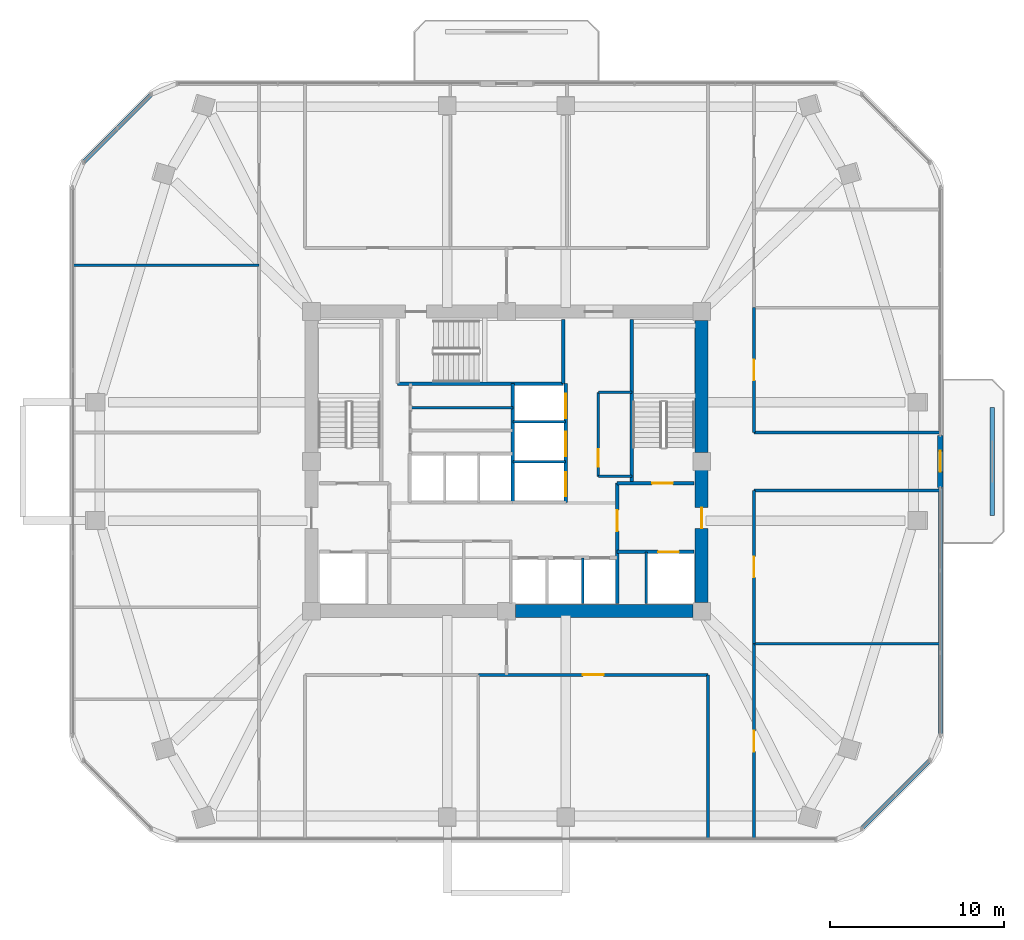
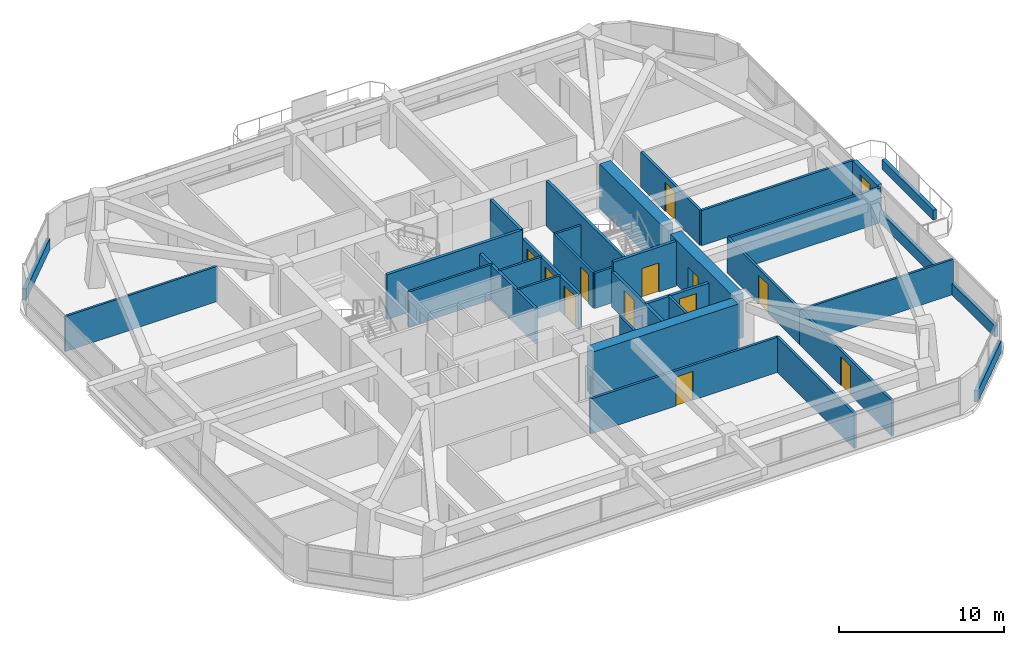
# One storey, part 10 of 13: 33 walls, 13 doors, 13 openings.
"""IFC4 building model written with IfcOpenShell, lengths in metres."""

from ifc_helpers import new_model, si_unit, derived_unit, direction, frame, frame_2d, origin, place, context, subcontext, project, spatial, rectangle, extrude, material, layer, layer_set, type_object, element, fill, save


model = new_model("IFC4")

# Units and contexts
model_context = context("Model", 3, precision=1e-05, world=origin(), true_north=direction((0.0, 1.0)))
body_context = subcontext(model_context, "Body", "Model", "MODEL_VIEW")
ifc_project = project(units=[si_unit("LENGTHUNIT", "METRE"), si_unit("AREAUNIT", "SQUARE_METRE"), si_unit("VOLUMEUNIT", "CUBIC_METRE"), si_unit("PLANEANGLEUNIT", "RADIAN"), si_unit("MASSUNIT", "GRAM", prefix="KILO"), derived_unit("THERMALTRANSMITTANCEUNIT", [(si_unit("POWERUNIT", "WATT"), 1), (si_unit("LENGTHUNIT", "METRE"), -2), (si_unit("THERMODYNAMICTEMPERATUREUNIT", "KELVIN"), -1)])], contexts=[model_context])

# Site, building, storey
site_placement = place(None, origin())
site = spatial("IfcSite", under=ifc_project, at=site_placement, CompositionType="ELEMENT")
building_placement = place(site_placement, origin())
building = spatial("IfcBuilding", under=site, at=building_placement, Name="Koralith Skygarden Medical Center", CompositionType="ELEMENT")
storey_placement = place(building_placement, frame((0.0, 0.0, 109.97998046875)))
storey = spatial("IfcBuildingStorey", under=building, at=storey_placement, Name="L28", CompositionType="ELEMENT", Elevation=109.97998046875)

# Wall, opening, door
ifc_material_1 = material(Name="Gypsum Board Partition")
ifc_layer_1 = layer(ifc_material_1, 0.14990234375)
ifc_layer_set_1 = layer_set([ifc_layer_1], Name="Gypsum Board Partition")
wall_type_1 = type_object("IfcWallType", Name="Clinical Acoustic Partition 150", PredefinedType="PARTITIONING", material=ifc_layer_set_1)
wall_1_placement = place(storey_placement, frame((42.27001953125, 25.0400390625, 0.0), z_axis=(0.0, 0.0, 1.0), x_axis=(0.0, 1.0, 0.0)))
wall_1 = element("IfcWall", 1, at=wall_1_placement, inside=storey, type_object=wall_type_1, Name="L28 Clinical Acoustic Partition 150 W-CORE-L28-ESUB-W", PredefinedType="PARTITIONING", context=body_context, shape_type="SweptSolid", body=[
    extrude(rectangle(XDim=4.820068359375, YDim=0.14990234375, at=frame_2d((2.41015625, 0.0))), origin(), (0.0, 0.0, 1.0), 2.610107421875),
])
opening_1_placement = place(wall_1_placement, frame((0.550048828125, 0.0, 0.0)))
opening_1 = element("IfcOpeningElement", 2, at=opening_1_placement, cuts=wall_1, Name="Opening D-SUP", PredefinedType="OPENING", context=body_context, shape_type="SweptSolid", body=[
    extrude(rectangle(XDim=1.0, YDim=2.14990234375, at=frame_2d((0.5, 1.074951171875))), frame((0.0, 0.0849609375, 0.0), z_axis=(0.0, -1.0, 0.0), x_axis=(1.0, 0.0, 0.0)), (0.0, 0.0, 1.0), 0.169921875),
])
ifc_material_2 = material(Name="Aluminium 6063-T6", Category="aluminium")
door_type_1 = type_object("IfcDoorType", Name="Clinical Support Door D-SUP 1000", OperationType="NOTDEFINED", PredefinedType="DOOR", material=ifc_material_2)
door_1_placement = place(opening_1_placement, origin())
door_1 = element("IfcDoor", 3, at=door_1_placement, inside=storey, type_object=door_type_1, Name="L28 Core Equipment Store Door", OperationType="SINGLE_SWING_LEFT", OverallHeight=2.14990234375, OverallWidth=1.0, PredefinedType="DOOR", context=body_context, shape_type="SweptSolid", body=[
    extrude(rectangle(XDim=1.0, YDim=2.14990234375, at=frame_2d((0.5, 1.074951171875))), frame((0.0, 0.02490234375, 0.0), z_axis=(0.0, -1.0, 0.0), x_axis=(1.0, 0.0, 0.0)), (0.0, 0.0, 1.0), 0.050048828125),
])
fill(opening_1, door_1)

# Walls
for number, where, z_axis, x_axis, name in (
    (4, (42.27001953125, 25.0400390625, 0.0), (0.0, 0.0, 1.0), (1.0, 0.0, 0.0), "L28 Clinical Acoustic Partition 150 W-CORE-L28-ESUB-S"),
    (5, (42.27001953125, 29.860107421875, 0.0), (0.0, 0.0, 1.0), (1.0, 0.0, 0.0), "L28 Clinical Acoustic Partition 150 W-CORE-L28-ESUB-N"),
):
    element("IfcWall", number, at=place(storey_placement, frame(where, z_axis=z_axis, x_axis=x_axis)), inside=storey, type_object=wall_type_1, Name=name, PredefinedType="PARTITIONING", context=body_context, shape_type="SweptSolid", body=[
        extrude(rectangle(XDim=1.929931640625, YDim=0.14990234375, at=frame_2d((0.96484375, 0.0))), origin(), (0.0, 0.0, 1.0), 2.610107421875),
    ])
wall_2_placement = place(storey_placement, frame((31.47998046875, 28.97998046875, 0.0), z_axis=(0.0, 0.0, 1.0), x_axis=(1.0, 0.0, 0.0)))
element("IfcWall", 6, at=wall_2_placement, inside=storey, type_object=wall_type_1, Name="L28 Clinical Acoustic Partition 150 W-CORE-L28-FLEX-H1B", PredefinedType="PARTITIONING", context=body_context, shape_type="SweptSolid", body=[
    extrude(rectangle(XDim=5.89013671875, YDim=0.14990234375, at=frame_2d((2.945068359375, 0.0))), origin(), (0.0, 0.0, 1.0), 2.610107421875),
])
for number, where, z_axis, x_axis, name in (
    (7, (22.7900390625, 37.1640625, 0.0), (0.0, 0.0, 1.0), (-1.0, 0.0, 0.0), "L28 Clinical Acoustic Partition 150 W-PART-L28-WN-01"),
    (8, (51.2099609375, 15.43603515625, 0.0), (0.0, 0.0, 1.0), (1.0, 0.0, 0.0), "L28 Clinical Acoustic Partition 150 W-PART-L28-ES-01"),
):
    element("IfcWall", number, at=place(storey_placement, frame(where, z_axis=z_axis, x_axis=x_axis)), inside=storey, type_object=wall_type_1, Name=name, PredefinedType="PARTITIONING", context=body_context, shape_type="SweptSolid", body=[
        extrude(rectangle(XDim=10.676025390625, YDim=0.14990234375, at=frame_2d((5.337890625, 0.0))), origin(), (0.0, 0.0, 1.0), 2.610107421875),
    ])
ifc_layer_2 = layer(ifc_material_1, 0.1650390625)
ifc_layer_set_2 = layer_set([ifc_layer_2], Name="Gypsum Board Partition")
wall_type_2 = type_object("IfcWallType", Name="Clinical Corridor Partition 165", PredefinedType="PARTITIONING", material=ifc_layer_set_2)
wall_3_placement = place(storey_placement, frame((48.570068359375, 4.23095703125, 0.0), z_axis=(0.0, 0.0, 1.0), x_axis=(0.0, 1.0, 0.0)))
element("IfcWall", 9, at=wall_3_placement, inside=storey, type_object=wall_type_2, Name="L28 Clinical Corridor Partition 165 W-HCOR-L28-SE", PredefinedType="PARTITIONING", context=body_context, shape_type="SweptSolid", body=[
    extrude(rectangle(XDim=9.408935546875, YDim=0.1650390625, at=frame_2d((4.70458984375, 0.0))), origin(), (0.0, 0.0, 1.0), 2.610107421875),
])
for number, where, z_axis, x_axis, name in (
    (10, (51.2099609375, 24.239990234375, 0.0), (0.0, 0.0, 1.0), (1.0, 0.0, 0.0), "L28 Clinical Corridor Partition 165 W-HCOR-L28-EWS-E"),
    (11, (51.2099609375, 27.56005859375, 0.0), (0.0, 0.0, 1.0), (1.0, 0.0, 0.0), "L28 Clinical Corridor Partition 165 W-HCOR-L28-EWN-E"),
):
    element("IfcWall", number, at=place(storey_placement, frame(where, z_axis=z_axis, x_axis=x_axis)), inside=storey, type_object=wall_type_2, Name=name, PredefinedType="PARTITIONING", context=body_context, shape_type="SweptSolid", body=[
        extrude(rectangle(XDim=10.676025390625, YDim=0.1650390625, at=frame_2d((5.337890625, 0.0))), origin(), (0.0, 0.0, 1.0), 2.610107421875),
    ])

# Wall, opening, door
wall_4_placement = place(storey_placement, frame((35.382080078125, 13.639892578125, 0.0), z_axis=(0.0, 0.0, 1.0), x_axis=(1.0, 0.0, 0.0)))
wall_4 = element("IfcWall", 12, at=wall_4_placement, inside=storey, type_object=wall_type_2, Name="L28 Clinical Corridor Partition 165 W-CORR-L28-S-02", PredefinedType="PARTITIONING", context=body_context, shape_type="SweptSolid", body=[
    extrude(rectangle(XDim=13.18798828125, YDim=0.1650390625, at=frame_2d((6.593994140625, 0.0))), origin(), (0.0, 0.0, 1.0), 2.610107421875),
])
opening_2_placement = place(wall_4_placement, frame((5.993896484375, 0.0, 0.0)))
opening_2 = element("IfcOpeningElement", 13, at=opening_2_placement, cuts=wall_4, Name="Opening D-CLN", PredefinedType="OPENING", context=body_context, shape_type="SweptSolid", body=[
    extrude(rectangle(XDim=1.199951171875, YDim=2.14990234375, at=frame_2d((0.60009765625, 1.074951171875))), frame((0.0, 0.092529296875, 0.0), z_axis=(0.0, -1.0, 0.0), x_axis=(1.0, 0.0, 0.0)), (0.0, 0.0, 1.0), 0.18505859375),
])
door_type_2 = type_object("IfcDoorType", Name="Clinical Corridor Door D-CLN 1200", OperationType="NOTDEFINED", PredefinedType="DOOR", material=ifc_material_2)
door_2_placement = place(opening_2_placement, frame((1.199951171875, 0.0, 0.0), z_axis=(0.0, 0.0, 1.0), x_axis=(-1.0, 0.0, 0.0)))
door_2 = element("IfcDoor", 14, at=door_2_placement, inside=storey, type_object=door_type_2, Name="L28 Clean Utility Supply Store 05 Door", OperationType="SINGLE_SWING_RIGHT", OverallHeight=2.14990234375, OverallWidth=1.199951171875, PredefinedType="DOOR", context=body_context, shape_type="SweptSolid", body=[
    extrude(rectangle(XDim=1.199951171875, YDim=2.14990234375, at=frame_2d((0.60009765625, 1.074951171875))), frame((0.0, 0.02490234375, 0.0), z_axis=(0.0, -1.0, 0.0), x_axis=(1.0, 0.0, 0.0)), (0.0, 0.0, 1.0), 0.050048828125),
])
fill(opening_2, door_2)

wall_5_placement = place(storey_placement, frame((51.2099609375, 4.23095703125, 0.0), z_axis=(0.0, 0.0, 1.0), x_axis=(0.0, 1.0, 0.0)))
wall_5 = element("IfcWall", 15, at=wall_5_placement, inside=storey, type_object=wall_type_2, Name="L28 Clinical Corridor Partition 165 W-CORR-L28-ES-01", PredefinedType="PARTITIONING", context=body_context, shape_type="SweptSolid", body=[
    extrude(rectangle(XDim=11.205078125, YDim=0.1650390625, at=frame_2d((5.6025390625, 0.0))), origin(), (0.0, 0.0, 1.0), 2.610107421875),
])
opening_3_placement = place(wall_5_placement, frame((5.0029296875, 0.0, 0.0)))
opening_3 = element("IfcOpeningElement", 16, at=opening_3_placement, cuts=wall_5, Name="Opening D-CLN", PredefinedType="OPENING", context=body_context, shape_type="SweptSolid", body=[
    extrude(rectangle(XDim=1.199951171875, YDim=2.14990234375, at=frame_2d((0.60009765625, 1.074951171875))), frame((0.0, 0.092529296875, 0.0), z_axis=(0.0, -1.0, 0.0), x_axis=(1.0, 0.0, 0.0)), (0.0, 0.0, 1.0), 0.18505859375),
])
door_3_placement = place(opening_3_placement, origin())
door_3 = element("IfcDoor", 17, at=door_3_placement, inside=storey, type_object=door_type_2, Name="L28 Oncology Examination Room 11 Door", OperationType="SINGLE_SWING_RIGHT", OverallHeight=2.14990234375, OverallWidth=1.199951171875, PredefinedType="DOOR", context=body_context, shape_type="SweptSolid", body=[
    extrude(rectangle(XDim=1.199951171875, YDim=2.14990234375, at=frame_2d((0.60009765625, 1.074951171875))), frame((0.0, 0.02490234375, 0.0), z_axis=(0.0, -1.0, 0.0), x_axis=(1.0, 0.0, 0.0)), (0.0, 0.0, 1.0), 0.050048828125),
])
fill(opening_3, door_3)

wall_6_placement = place(storey_placement, frame((51.2099609375, 15.43603515625, 0.0), z_axis=(0.0, 0.0, 1.0), x_axis=(0.0, 1.0, 0.0)))
wall_6 = element("IfcWall", 18, at=wall_6_placement, inside=storey, type_object=wall_type_2, Name="L28 Clinical Corridor Partition 165 W-CORR-L28-ES-02", PredefinedType="PARTITIONING", context=body_context, shape_type="SweptSolid", body=[
    extrude(rectangle(XDim=8.803955078125, YDim=0.1650390625, at=frame_2d((4.40185546875, 0.0))), origin(), (0.0, 0.0, 1.0), 2.610107421875),
])
opening_4_placement = place(wall_6_placement, frame((3.802001953125, 0.0, 0.0)))
opening_4 = element("IfcOpeningElement", 19, at=opening_4_placement, cuts=wall_6, Name="Opening D-CLN", PredefinedType="OPENING", context=body_context, shape_type="SweptSolid", body=[
    extrude(rectangle(XDim=1.199951171875, YDim=2.14990234375, at=frame_2d((0.60009765625, 1.074951171875))), frame((0.0, 0.092529296875, 0.0), z_axis=(0.0, -1.0, 0.0), x_axis=(1.0, 0.0, 0.0)), (0.0, 0.0, 1.0), 0.18505859375),
])
door_4_placement = place(opening_4_placement, origin())
door_4 = element("IfcDoor", 20, at=door_4_placement, inside=storey, type_object=door_type_2, Name="L28 Staff Nutrition Pantry 12 Door", OperationType="SINGLE_SWING_LEFT", OverallHeight=2.14990234375, OverallWidth=1.199951171875, PredefinedType="DOOR", context=body_context, shape_type="SweptSolid", body=[
    extrude(rectangle(XDim=1.199951171875, YDim=2.14990234375, at=frame_2d((0.60009765625, 1.074951171875))), frame((0.0, 0.02490234375, 0.0), z_axis=(0.0, -1.0, 0.0), x_axis=(1.0, 0.0, 0.0)), (0.0, 0.0, 1.0), 0.050048828125),
])
fill(opening_4, door_4)

wall_7_placement = place(storey_placement, frame((51.2099609375, 27.56005859375, 0.0), z_axis=(0.0, 0.0, 1.0), x_axis=(0.0, 1.0, 0.0)))
wall_7 = element("IfcWall", 21, at=wall_7_placement, inside=storey, type_object=wall_type_2, Name="L28 Clinical Corridor Partition 165 W-CORR-L28-EN-01", PredefinedType="PARTITIONING", context=body_context, shape_type="SweptSolid", body=[
    extrude(rectangle(XDim=7.1708984375, YDim=0.1650390625, at=frame_2d((3.58544921875, 0.0))), origin(), (0.0, 0.0, 1.0), 2.610107421875),
])
opening_5_placement = place(wall_7_placement, frame((2.986083984375, 0.0, 0.0)))
opening_5 = element("IfcOpeningElement", 22, at=opening_5_placement, cuts=wall_7, Name="Opening D-CLN", PredefinedType="OPENING", context=body_context, shape_type="SweptSolid", body=[
    extrude(rectangle(XDim=1.199951171875, YDim=2.14990234375, at=frame_2d((0.60009765625, 1.074951171875))), frame((0.0, 0.092529296875, 0.0), z_axis=(0.0, -1.0, 0.0), x_axis=(1.0, 0.0, 0.0)), (0.0, 0.0, 1.0), 0.18505859375),
])
door_5_placement = place(opening_5_placement, origin())
door_5 = element("IfcDoor", 23, at=door_5_placement, inside=storey, type_object=door_type_2, Name="L28 Clean Utility Supply Store 13 Door", OperationType="SINGLE_SWING_RIGHT", OverallHeight=2.14990234375, OverallWidth=1.199951171875, PredefinedType="DOOR", context=body_context, shape_type="SweptSolid", body=[
    extrude(rectangle(XDim=1.199951171875, YDim=2.14990234375, at=frame_2d((0.60009765625, 1.074951171875))), frame((0.0, 0.02490234375, 0.0), z_axis=(0.0, -1.0, 0.0), x_axis=(1.0, 0.0, 0.0)), (0.0, 0.0, 1.0), 0.050048828125),
])
fill(opening_5, door_5)

ifc_layer_3 = layer(ifc_material_1, 0.199951171875)
ifc_layer_set_3 = layer_set([ifc_layer_3], Name="Gypsum Board Partition")
wall_type_3 = type_object("IfcWallType", Name="Fire Shaft Wall 200", PredefinedType="SOLIDWALL", material=ifc_layer_set_3)
wall_8_placement = place(storey_placement, frame((43.35009765625, 20.699951171875, 0.0), z_axis=(0.0, 0.0, 1.0), x_axis=(1.0, 0.0, 0.0)))
wall_8 = element("IfcWall", 24, at=wall_8_placement, inside=storey, type_object=wall_type_3, Name="L28 Fire Shaft Wall 200 W-CORE-L28-FF2-N", PredefinedType="SOLIDWALL", context=body_context, shape_type="SweptSolid", body=[
    extrude(rectangle(XDim=4.39990234375, YDim=0.199951171875, at=frame_2d((2.199951171875, 0.0))), origin(), (0.0, 0.0, 1.0), 2.610107421875),
])
opening_6_placement = place(wall_8_placement, frame((2.35009765625, 0.0, 0.0)))
opening_6 = element("IfcOpeningElement", 25, at=opening_6_placement, cuts=wall_8, Name="Opening LD-FF", PredefinedType="OPENING", context=body_context, shape_type="SweptSolid", body=[
    extrude(rectangle(XDim=1.199951171875, YDim=2.14990234375, at=frame_2d((0.60009765625, 1.074951171875))), frame((0.0, 0.10986328125, 0.0), z_axis=(0.0, -1.0, 0.0), x_axis=(1.0, 0.0, 0.0)), (0.0, 0.0, 1.0), 0.219970703125),
])
ifc_material_3 = material(Name="Steel ASTM A500 Grade C", Category="steel")
door_type_3 = type_object("IfcDoorType", Name="Fire Lift Sliding Landing Door LD-FF 1200", OperationType="NOTDEFINED", PredefinedType="DOOR", material=ifc_material_3)
door_6_placement = place(opening_6_placement, origin())
door_6 = element("IfcDoor", 26, at=door_6_placement, inside=storey, type_object=door_type_3, Name="L28 Fire Service Elevator FF2 Landing Door", OperationType="SLIDING_TO_RIGHT", OverallHeight=2.14990234375, OverallWidth=1.199951171875, PredefinedType="DOOR", context=body_context, shape_type="SweptSolid", body=[
    extrude(rectangle(XDim=1.199951171875, YDim=2.14990234375, at=frame_2d((0.60009765625, 1.074951171875))), frame((0.0, 0.02490234375, 0.0), z_axis=(0.0, -1.0, 0.0), x_axis=(1.0, 0.0, 0.0)), (0.0, 0.0, 1.0), 0.050048828125),
])
fill(opening_6, door_6)

wall_9_placement = place(storey_placement, frame((43.35009765625, 17.75, 0.0), z_axis=(0.0, 0.0, 1.0), x_axis=(0.0, 1.0, 0.0)))
wall_9 = element("IfcWall", 27, at=wall_9_placement, inside=storey, type_object=wall_type_3, Name="L28 Fire Shaft Wall 200 W-CORE-L28-FSAEE-W", PredefinedType="SOLIDWALL", context=body_context, shape_type="SweptSolid", body=[
    extrude(rectangle(XDim=6.89990234375, YDim=0.199951171875, at=frame_2d((3.449951171875, 0.0))), origin(), (0.0, 0.0, 1.0), 2.610107421875),
])
opening_7_placement = place(wall_9_placement, frame((4.14990234375, 0.0, 0.0)))
opening_7 = element("IfcOpeningElement", 28, at=opening_7_placement, cuts=wall_9, Name="Opening D-ST60", PredefinedType="OPENING", context=body_context, shape_type="SweptSolid", body=[
    extrude(rectangle(XDim=1.199951171875, YDim=2.14990234375, at=frame_2d((0.60009765625, 1.074951171875))), frame((0.0, 0.10986328125, 0.0), z_axis=(0.0, -1.0, 0.0), x_axis=(1.0, 0.0, 0.0)), (0.0, 0.0, 1.0), 0.219970703125),
])
door_type_4 = type_object("IfcDoorType", Name="Smokeproof Stair Fire Door FD60S 1200", OperationType="NOTDEFINED", PredefinedType="DOOR", material=ifc_material_3)
door_7_placement = place(opening_7_placement, frame((1.199951171875, 0.0, 0.0), z_axis=(0.0, 0.0, 1.0), x_axis=(-1.0, 0.0, 0.0)))
door_7 = element("IfcDoor", 29, at=door_7_placement, inside=storey, type_object=door_type_4, Name="L28 East Firefighting Lobby Inner Fire Door", OperationType="SINGLE_SWING_RIGHT", OverallHeight=2.14990234375, OverallWidth=1.199951171875, PredefinedType="DOOR", context=body_context, shape_type="SweptSolid", body=[
    extrude(rectangle(XDim=1.199951171875, YDim=2.14990234375, at=frame_2d((0.60009765625, 1.074951171875))), frame((0.0, 0.02490234375, 0.0), z_axis=(0.0, -1.0, 0.0), x_axis=(1.0, 0.0, 0.0)), (0.0, 0.0, 1.0), 0.050048828125),
])
fill(opening_7, door_7)

# Wall
wall_10_placement = place(storey_placement, frame((37.35009765625, 23.5400390625, 0.0), z_axis=(0.0, 0.0, 1.0), x_axis=(0.0, 1.0, 0.0)))
element("IfcWall", 30, at=wall_10_placement, inside=storey, type_object=wall_type_3, Name="L28 Fire Shaft Wall 200 W-CORE-L28-SV-W", PredefinedType="SOLIDWALL", context=body_context, shape_type="SweptSolid", body=[
    extrude(rectangle(XDim=6.820068359375, YDim=0.199951171875, at=frame_2d((3.41015625, 0.0))), origin(), (0.0, 0.0, 1.0), 2.610107421875),
])

# Wall, openings, doors
wall_11_placement = place(storey_placement, frame((40.39990234375, 23.5400390625, 0.0), z_axis=(0.0, 0.0, 1.0), x_axis=(0.0, 1.0, 0.0)))
wall_11 = element("IfcWall", 31, at=wall_11_placement, inside=storey, type_object=wall_type_3, Name="L28 Fire Shaft Wall 200 W-CORE-L28-SV-E", PredefinedType="SOLIDWALL", context=body_context, shape_type="SweptSolid", body=[
    extrude(rectangle(XDim=6.820068359375, YDim=0.199951171875, at=frame_2d((3.41015625, 0.0))), origin(), (0.0, 0.0, 1.0), 2.610107421875),
])
opening_8_placement = place(wall_11_placement, frame((0.35009765625, 0.0, 0.0)))
opening_8 = element("IfcOpeningElement", 32, at=opening_8_placement, cuts=wall_11, Name="Opening LD-SV", PredefinedType="OPENING", context=body_context, shape_type="SweptSolid", body=[
    extrude(rectangle(XDim=1.39990234375, YDim=2.199951171875, at=frame_2d((0.699951171875, 1.10009765625))), frame((0.0, 0.10986328125, 0.0), z_axis=(0.0, -1.0, 0.0), x_axis=(1.0, 0.0, 0.0)), (0.0, 0.0, 1.0), 0.219970703125),
])
opening_9_placement = place(wall_11_placement, frame((2.64990234375, 0.0, 0.0)))
opening_9 = element("IfcOpeningElement", 33, at=opening_9_placement, cuts=wall_11, Name="Opening LD-SV", PredefinedType="OPENING", context=body_context, shape_type="SweptSolid", body=[
    extrude(rectangle(XDim=1.39990234375, YDim=2.199951171875, at=frame_2d((0.699951171875, 1.10009765625))), frame((0.0, 0.10986328125, 0.0), z_axis=(0.0, -1.0, 0.0), x_axis=(1.0, 0.0, 0.0)), (0.0, 0.0, 1.0), 0.219970703125),
])
opening_10_placement = place(wall_11_placement, frame((4.85009765625, 0.0, 0.0)))
opening_10 = element("IfcOpeningElement", 34, at=opening_10_placement, cuts=wall_11, Name="Opening LD-SV", PredefinedType="OPENING", context=body_context, shape_type="SweptSolid", body=[
    extrude(rectangle(XDim=1.39990234375, YDim=2.199951171875, at=frame_2d((0.699951171875, 1.10009765625))), frame((0.0, 0.10986328125, 0.0), z_axis=(0.0, -1.0, 0.0), x_axis=(1.0, 0.0, 0.0)), (0.0, 0.0, 1.0), 0.219970703125),
])
door_type_5 = type_object("IfcDoorType", Name="Bed Lift Sliding Landing Door LD-SV 1400", OperationType="NOTDEFINED", PredefinedType="DOOR", material=ifc_material_3)
door_8_placement = place(opening_8_placement, origin())
door_8 = element("IfcDoor", 35, at=door_8_placement, inside=storey, type_object=door_type_5, Name="L28 Bed Elevator BD1 Landing Door", OperationType="SLIDING_TO_LEFT", OverallHeight=2.199951171875, OverallWidth=1.39990234375, PredefinedType="DOOR", context=body_context, shape_type="SweptSolid", body=[
    extrude(rectangle(XDim=1.39990234375, YDim=2.199951171875, at=frame_2d((0.699951171875, 1.10009765625))), frame((0.0, 0.02490234375, 0.0), z_axis=(0.0, -1.0, 0.0), x_axis=(1.0, 0.0, 0.0)), (0.0, 0.0, 1.0), 0.050048828125),
])
fill(opening_8, door_8)
door_9_placement = place(opening_9_placement, origin())
door_9 = element("IfcDoor", 36, at=door_9_placement, inside=storey, type_object=door_type_5, Name="L28 Service Elevator BD2 Landing Door", OperationType="SLIDING_TO_LEFT", OverallHeight=2.199951171875, OverallWidth=1.39990234375, PredefinedType="DOOR", context=body_context, shape_type="SweptSolid", body=[
    extrude(rectangle(XDim=1.39990234375, YDim=2.199951171875, at=frame_2d((0.699951171875, 1.10009765625))), frame((0.0, 0.02490234375, 0.0), z_axis=(0.0, -1.0, 0.0), x_axis=(1.0, 0.0, 0.0)), (0.0, 0.0, 1.0), 0.050048828125),
])
fill(opening_9, door_9)
door_10_placement = place(opening_10_placement, origin())
door_10 = element("IfcDoor", 37, at=door_10_placement, inside=storey, type_object=door_type_5, Name="L28 Trauma Elevator TR1 Landing Door", OperationType="SLIDING_TO_RIGHT", OverallHeight=2.199951171875, OverallWidth=1.39990234375, PredefinedType="DOOR", context=body_context, shape_type="SweptSolid", body=[
    extrude(rectangle(XDim=1.39990234375, YDim=2.199951171875, at=frame_2d((0.699951171875, 1.10009765625))), frame((0.0, 0.02490234375, 0.0), z_axis=(0.0, -1.0, 0.0), x_axis=(1.0, 0.0, 0.0)), (0.0, 0.0, 1.0), 0.050048828125),
])
fill(opening_10, door_10)

# Walls
ifc_material_4 = material(Name="Warm Oolitic Limestone Cladding", Category="masonry")
ifc_layer_4 = layer(ifc_material_4, 0.239990234375)
ifc_layer_set_4 = layer_set([ifc_layer_4], Name="Warm Oolitic Limestone Cladding")
wall_type_4 = type_object("IfcWallType", Name="Limestone Spandrel Sill Backup Wall 240", PredefinedType="SOLIDWALL", material=ifc_layer_set_4)
wall_12_placement = place(storey_placement, frame((57.382080078125, 4.81201171875, 0.0), z_axis=(0.0, 0.0, 1.0), x_axis=(0.707084777957, 0.707128783731, 0.0)))
element("IfcWall", 38, at=wall_12_placement, inside=storey, type_object=wall_type_4, Name="L28 Sill Spandrel SE", PredefinedType="SOLIDWALL", context=body_context, shape_type="SweptSolid", body=[
    extrude(rectangle(XDim=5.5478515625, YDim=0.239990234375, at=frame_2d((2.77392578125, 0.0))), origin(), (0.0, 0.0, 1.0), 0.85009765625),
])
wall_13_placement = place(storey_placement, frame((61.906005859375, 10.18603515625, 0.0), z_axis=(0.0, 0.0, 1.0), x_axis=(0.0, 1.0, 0.0)))
element("IfcWall", 39, at=wall_13_placement, inside=storey, type_object=wall_type_4, Name="L28 Sill Spandrel E-L", PredefinedType="SOLIDWALL", context=body_context, shape_type="SweptSolid", body=[
    extrude(rectangle(XDim=14.1728515625, YDim=0.239990234375, at=frame_2d((7.08642578125, 0.0))), origin(), (0.0, 0.0, 1.0), 0.85009765625),
])
wall_14_placement = place(storey_placement, frame((16.617919921875, 46.988037109375, 0.0), z_axis=(0.0, 0.0, 1.0), x_axis=(-0.707084777957, -0.707128783731, 0.0)))
element("IfcWall", 40, at=wall_14_placement, inside=storey, type_object=wall_type_4, Name="L28 Sill Spandrel NW", PredefinedType="SOLIDWALL", context=body_context, shape_type="SweptSolid", body=[
    extrude(rectangle(XDim=5.5478515625, YDim=0.239990234375, at=frame_2d((2.77392578125, 0.0))), origin(), (0.0, 0.0, 1.0), 0.85009765625),
])
ifc_material_5 = material(Name="Concrete C70/85", Category="concrete")
ifc_layer_5 = layer(ifc_material_5, 0.75)
ifc_layer_set_5 = layer_set([ifc_layer_5], Name="Concrete C70/85")
wall_type_5 = type_object("IfcWallType", Name="Mid Core Shear Wall 750", PredefinedType="SHEAR", material=ifc_layer_set_5)
wall_15_placement = place(storey_placement, frame((37.5048828125, 17.300048828125, 0.0), z_axis=(0.0, 0.0, 1.0), x_axis=(1.0, 0.0, 0.0)))
element("IfcWall", 41, at=wall_15_placement, inside=storey, type_object=wall_type_5, Name="L28 Core Shear Wall Segment 2", PredefinedType="SHEAR", context=body_context, shape_type="SweptSolid", body=[
    extrude(rectangle(XDim=10.190185546875, YDim=0.75, at=frame_2d((5.09521484375, 0.0))), origin(), (0.0, 0.0, 1.0), 3.320068359375),
])

# Wall, opening, door
wall_16_placement = place(storey_placement, frame((48.199951171875, 17.804931640625, 0.0), z_axis=(0.0, 0.0, 1.0), x_axis=(0.0, 1.0, 0.0)))
wall_16 = element("IfcWall", 42, at=wall_16_placement, inside=storey, type_object=wall_type_5, Name="L28 Core Shear Wall Segment 3", PredefinedType="SHEAR", context=body_context, shape_type="SweptSolid", body=[
    extrude(rectangle(XDim=7.590087890625, YDim=0.75, at=frame_2d((3.794921875, 0.0))), origin(), (0.0, 0.0, 1.0), 3.320068359375),
])
opening_11_placement = place(wall_16_placement, frame((4.2451171875, 0.0, 0.0)))
opening_11 = element("IfcOpeningElement", 43, at=opening_11_placement, cuts=wall_16, Name="Opening D-ST60", PredefinedType="OPENING", context=body_context, shape_type="SweptSolid", body=[
    extrude(rectangle(XDim=1.199951171875, YDim=2.14990234375, at=frame_2d((0.60009765625, 1.074951171875))), frame((0.0, 0.385009765625, 0.0), z_axis=(0.0, -1.0, 0.0), x_axis=(1.0, 0.0, 0.0)), (0.0, 0.0, 1.0), 0.77001953125),
])
door_11_placement = place(opening_11_placement, frame((1.199951171875, 0.0, 0.0), z_axis=(0.0, 0.0, 1.0), x_axis=(-1.0, 0.0, 0.0)))
door_11 = element("IfcDoor", 44, at=door_11_placement, inside=storey, type_object=door_type_4, Name="L28 East Corridor to Firefighting Lobby Door", OperationType="SINGLE_SWING_RIGHT", OverallHeight=2.14990234375, OverallWidth=1.199951171875, PredefinedType="DOOR", context=body_context, shape_type="SweptSolid", body=[
    extrude(rectangle(XDim=1.199951171875, YDim=2.14990234375, at=frame_2d((0.60009765625, 1.074951171875))), frame((0.0, 0.02490234375, 0.0), z_axis=(0.0, -1.0, 0.0), x_axis=(1.0, 0.0, 0.0)), (0.0, 0.0, 1.0), 0.050048828125),
])
fill(opening_11, door_11)

# Wall
wall_17_placement = place(storey_placement, frame((48.199951171875, 26.405029296875, 0.0), z_axis=(0.0, 0.0, 1.0), x_axis=(0.0, 1.0, 0.0)))
element("IfcWall", 45, at=wall_17_placement, inside=storey, type_object=wall_type_5, Name="L28 Core Shear Wall Segment 4", PredefinedType="SHEAR", context=body_context, shape_type="SweptSolid", body=[
    extrude(rectangle(XDim=7.590087890625, YDim=0.75, at=frame_2d((3.794921875, 0.0))), origin(), (0.0, 0.0, 1.0), 3.320068359375),
])

# Wall, opening, door
ifc_layer_6 = layer(ifc_material_4, 0.300048828125)
ifc_layer_set_6 = layer_set([ifc_layer_6], Name="Warm Oolitic Limestone Cladding")
wall_type_6 = type_object("IfcWallType", Name="Oolitic Limestone Insulated Facade Wall 300", PredefinedType="SOLIDWALL", material=ifc_layer_set_6)
wall_18_placement = place(storey_placement, frame((61.906005859375, 24.39892578125, 0.0), z_axis=(0.0, 0.0, 1.0), x_axis=(0.0, 1.0, 0.0)))
wall_18 = element("IfcWall", 46, at=wall_18_placement, inside=storey, type_object=wall_type_6, Name="L28 Terrace Portal Wall E", PredefinedType="SOLIDWALL", context=body_context, shape_type="SweptSolid", body=[
    extrude(rectangle(XDim=3.0, YDim=0.300048828125, at=frame_2d((1.5, 0.0))), origin(), (0.0, 0.0, 1.0), 2.669921875),
])
opening_12_placement = place(wall_18_placement, frame((0.89990234375, 0.0, 0.0)))
opening_12 = element("IfcOpeningElement", 47, at=opening_12_placement, cuts=wall_18, Name="Opening D-BAL", PredefinedType="OPENING", context=body_context, shape_type="SweptSolid", body=[
    extrude(rectangle(XDim=1.199951171875, YDim=2.199951171875, at=frame_2d((0.60009765625, 1.10009765625))), frame((0.0, 0.159912109375, 0.0), z_axis=(0.0, -1.0, 0.0), x_axis=(1.0, 0.0, 0.0)), (0.0, 0.0, 1.0), 0.320068359375),
])
door_type_6 = type_object("IfcDoorType", Name="Planted Balcony Glazed Terrace Door D-BAL 1200", OperationType="NOTDEFINED", PredefinedType="DOOR", material=ifc_material_2)
door_12_placement = place(opening_12_placement, origin())
door_12 = element("IfcDoor", 48, at=door_12_placement, inside=storey, type_object=door_type_6, Name="L28 E Outdoor Terrace Access Door", OperationType="SINGLE_SWING_LEFT", OverallHeight=2.199951171875, OverallWidth=1.199951171875, PredefinedType="DOOR", context=body_context, shape_type="SweptSolid", body=[
    extrude(rectangle(XDim=1.199951171875, YDim=2.199951171875, at=frame_2d((0.60009765625, 1.10009765625))), frame((0.0, 0.02490234375, 0.0), z_axis=(0.0, -1.0, 0.0), x_axis=(1.0, 0.0, 0.0)), (0.0, 0.0, 1.0), 0.050048828125),
])
fill(opening_12, door_12)

# Walls
ifc_layer_7 = layer(ifc_material_1, 0.14990234375)
ifc_layer_set_7 = layer_set([ifc_layer_7], Name="Gypsum Board Partition")
wall_type_7 = type_object("IfcWallType", Name="Shaft Partition Wall 150", PredefinedType="PARTITIONING", material=ifc_layer_set_7)
wall_19_placement = place(storey_placement, frame((45.02001953125, 17.75, 0.0), z_axis=(0.0, 0.0, 1.0), x_axis=(0.0, 1.0, 0.0)))
element("IfcWall", 49, at=wall_19_placement, inside=storey, type_object=wall_type_7, Name="L28 Shaft Partition Wall 150 W-CORE-L28-RSRE-DIV", PredefinedType="PARTITIONING", context=body_context, shape_type="SweptSolid", body=[
    extrude(rectangle(XDim=2.949951171875, YDim=0.14990234375, at=frame_2d((1.47509765625, 0.0))), origin(), (0.0, 0.0, 1.0), 2.610107421875),
])
wall_20_placement = place(storey_placement, frame((41.3701171875, 17.75, 0.0), z_axis=(0.0, 0.0, 1.0), x_axis=(0.0, 1.0, 0.0)))
element("IfcWall", 50, at=wall_20_placement, inside=storey, type_object=wall_type_7, Name="L28 Shaft Partition Wall 150 W-CORE-L28-PM-D2", PredefinedType="PARTITIONING", context=body_context, shape_type="SweptSolid", body=[
    extrude(rectangle(XDim=2.610107421875, YDim=0.14990234375, at=frame_2d((1.30517578125, 0.0))), origin(), (0.0, 0.0, 1.0), 2.610107421875),
])
for number, where, z_axis, x_axis, name in (
    (51, (37.3701171875, 25.8701171875, 0.0), (0.0, 0.0, 1.0), (1.0, 0.0, 0.0), "L28 Shaft Partition Wall 150 W-CORE-L28-SV-D1"),
    (52, (37.3701171875, 28.169921875, 0.0), (0.0, 0.0, 1.0), (1.0, 0.0, 0.0), "L28 Shaft Partition Wall 150 W-CORE-L28-SV-D2"),
):
    element("IfcWall", number, at=place(storey_placement, frame(where, z_axis=z_axis, x_axis=x_axis)), inside=storey, type_object=wall_type_7, Name=name, PredefinedType="PARTITIONING", context=body_context, shape_type="SweptSolid", body=[
        extrude(rectangle(XDim=3.009765625, YDim=0.14990234375, at=frame_2d((1.5048828125, 0.0))), origin(), (0.0, 0.0, 1.0), 2.610107421875),
    ])
ifc_material_6 = material(Name="Precast concrete C40/50", Category="concrete")
ifc_layer_8 = layer(ifc_material_6, 0.25)
ifc_layer_set_8 = layer_set([ifc_layer_8], Name="Precast concrete C40/50")
wall_type_8 = type_object("IfcWallType", Name="Structural Concrete Balcony Planter Kerb 250", PredefinedType="PARAPET", material=ifc_layer_set_8)
wall_21_placement = place(storey_placement, frame((64.885986328125, 22.800048828125, 0.0), z_axis=(0.0, 0.0, 1.0), x_axis=(0.0, 1.0, 0.0)))
element("IfcWall", 53, at=wall_21_placement, inside=storey, type_object=wall_type_8, Name="L28 E Structural Tree PLANTER Box", PredefinedType="PARAPET", context=body_context, shape_type="SweptSolid", body=[
    extrude(rectangle(XDim=6.199951171875, YDim=0.25, at=frame_2d((3.10009765625, 0.0))), origin(), (0.0, 0.0, 1.0), 0.719970703125),
])
ifc_material_7 = material(Name="Concrete C45/55", Category="concrete")
ifc_layer_9 = layer(ifc_material_7, 0.199951171875)
ifc_layer_set_9 = layer_set([ifc_layer_9], Name="Concrete C45/55")
wall_type_9 = type_object("IfcWallType", Name="Structural Stair Shaft Wall 200", PredefinedType="SHEAR", material=ifc_layer_set_9)
wall_22_placement = place(storey_placement, frame((44.199951171875, 24.64990234375, 0.0), z_axis=(0.0, 0.0, 1.0), x_axis=(0.0, 1.0, 0.0)))
element("IfcWall", 54, at=wall_22_placement, inside=storey, type_object=wall_type_9, Name="L28 Structural Stair Shaft Wall 200 W-CORE-L28-ST2-W", PredefinedType="SHEAR", context=body_context, shape_type="SweptSolid", body=[
    extrude(rectangle(XDim=9.400146484375, YDim=0.199951171875, at=frame_2d((4.7001953125, 0.0))), origin(), (0.0, 0.0, 1.0), 3.320068359375),
])

# Wall, opening, door
wall_23_placement = place(storey_placement, frame((43.35009765625, 24.64990234375, 0.0), z_axis=(0.0, 0.0, 1.0), x_axis=(1.0, 0.0, 0.0)))
wall_23 = element("IfcWall", 55, at=wall_23_placement, inside=storey, type_object=wall_type_9, Name="L28 Structural Stair Shaft Wall 200 W-CORE-L28-ST2-S", PredefinedType="SHEAR", context=body_context, shape_type="SweptSolid", body=[
    extrude(rectangle(XDim=4.39990234375, YDim=0.199951171875, at=frame_2d((2.199951171875, 0.0))), origin(), (0.0, 0.0, 1.0), 3.320068359375),
])
opening_13_placement = place(wall_23_placement, frame((2.0, 0.0, 0.0)))
opening_13 = element("IfcOpeningElement", 56, at=opening_13_placement, cuts=wall_23, Name="Opening D-ST60", PredefinedType="OPENING", context=body_context, shape_type="SweptSolid", body=[
    extrude(rectangle(XDim=1.199951171875, YDim=2.14990234375, at=frame_2d((0.60009765625, 1.074951171875))), frame((0.0, 0.10986328125, 0.0), z_axis=(0.0, -1.0, 0.0), x_axis=(1.0, 0.0, 0.0)), (0.0, 0.0, 1.0), 0.219970703125),
])
door_13_placement = place(opening_13_placement, origin())
door_13 = element("IfcDoor", 57, at=door_13_placement, inside=storey, type_object=door_type_4, Name="L28 Exit Stair ST2 Fire Door", OperationType="SINGLE_SWING_RIGHT", OverallHeight=2.14990234375, OverallWidth=1.199951171875, PredefinedType="DOOR", context=body_context, shape_type="SweptSolid", body=[
    extrude(rectangle(XDim=1.199951171875, YDim=2.14990234375, at=frame_2d((0.60009765625, 1.074951171875))), frame((0.0, 0.02490234375, 0.0), z_axis=(0.0, -1.0, 0.0), x_axis=(1.0, 0.0, 0.0)), (0.0, 0.0, 1.0), 0.050048828125),
])
fill(opening_13, door_13)

# Walls
wall_24_placement = place(storey_placement, frame((30.75, 30.360107421875, 0.0), z_axis=(0.0, 0.0, 1.0), x_axis=(1.0, 0.0, 0.0)))
element("IfcWall", 58, at=wall_24_placement, inside=storey, type_object=wall_type_9, Name="L28 Structural Stair Shaft Wall 200 W-CORE-L28-ST3-S", PredefinedType="SHEAR", context=body_context, shape_type="SweptSolid", body=[
    extrude(rectangle(XDim=9.5, YDim=0.199951171875, at=frame_2d((4.75, 0.0))), origin(), (0.0, 0.0, 1.0), 3.320068359375),
])
wall_25_placement = place(storey_placement, frame((40.25, 30.360107421875, 0.0), z_axis=(0.0, 0.0, 1.0), x_axis=(0.0, 1.0, 0.0)))
element("IfcWall", 59, at=wall_25_placement, inside=storey, type_object=wall_type_9, Name="L28 Structural Stair Shaft Wall 200 W-CORE-L28-ST3-E", PredefinedType="SHEAR", context=body_context, shape_type="SweptSolid", body=[
    extrude(rectangle(XDim=3.68994140625, YDim=0.199951171875, at=frame_2d((1.844970703125, 0.0))), origin(), (0.0, 0.0, 1.0), 3.320068359375),
])

save(model, "model.ifc")
